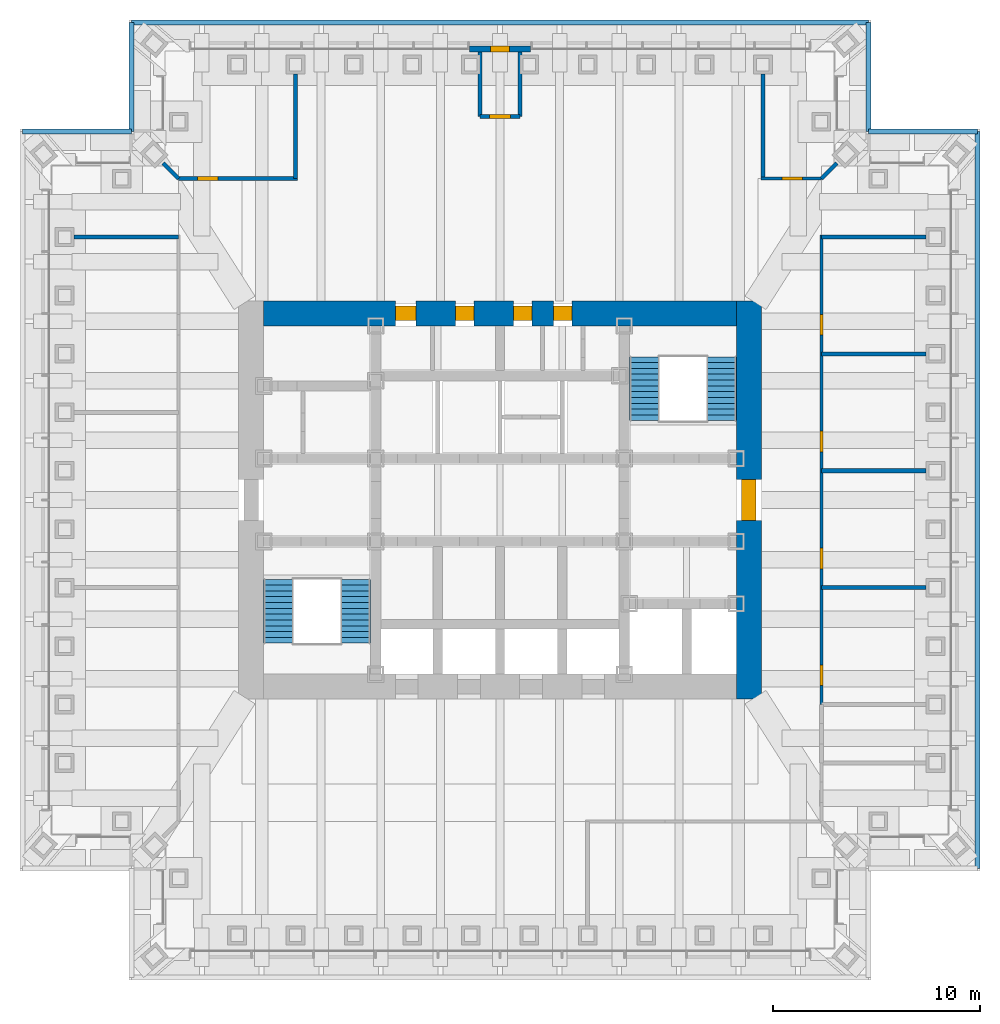
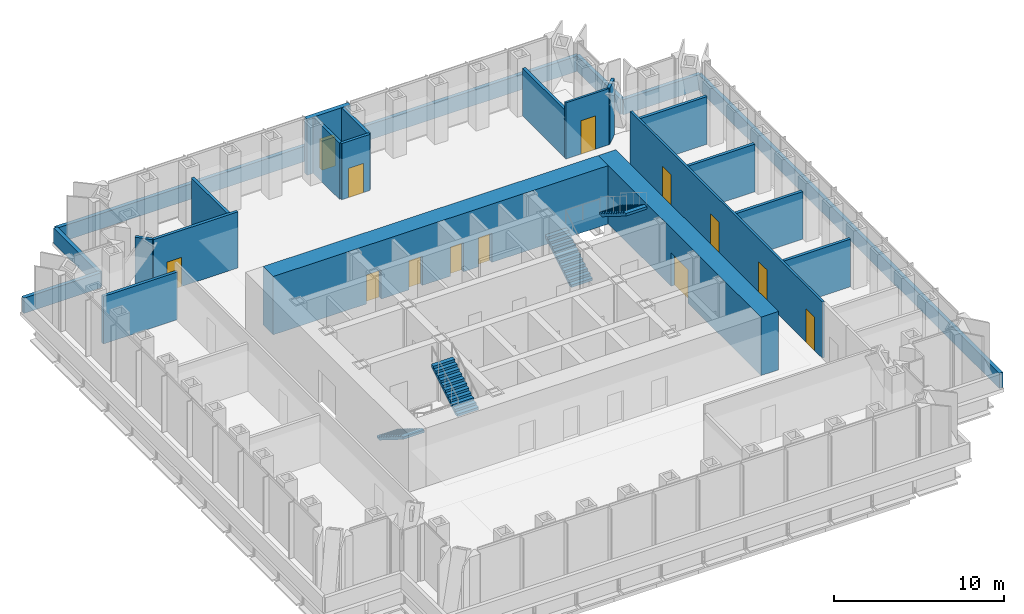
# One storey, part 10 of 12: 24 walls, 13 doors, 4 stair flights, 13 openings, 2 elements without a shape of their own.
"""IFC4 building model written with IfcOpenShell, lengths in metres."""

import ifcopenshell
import ifcopenshell.guid

model = None  # the IFC model being written
_history = None  # IfcOwnerHistory: only IFC2X3 demands one
_inside = {}  # id of a spatial element -> (the spatial element, [elements in it])
_under = {}  # id of a project, library or spatial element -> (it, [spatial elements below it])
_declared = {}  # id of a project -> (the project, [libraries it declares])
_typed = {}  # id of a type object -> (the type object, [elements of that type])
_made_of = {}  # id of a material, layer set ... -> (it, [elements and type objects made of it])


def new_model(schema):
    """Start an empty IFC model of exactly this schema.

    Asked for "IFC4X3", IfcOpenShell would pick the latest addendum, in which some entities
    have other attributes; the version numbers below select the first issue.
    IFC2X3 requires an IfcOwnerHistory on every rooted entity: one is made here for all.
    """
    global model, _history
    if schema == "IFC4X3":
        model = ifcopenshell.file(schema_version=(4, 3, 0, 0))
    else:
        model = ifcopenshell.file(schema=schema)
    _inside.clear()
    _under.clear()
    _declared.clear()
    _typed.clear()
    _made_of.clear()
    _history = None
    if model.schema == "IFC2X3":
        org = make("IfcOrganization", Name="unknown")
        user = make(
            "IfcPersonAndOrganization",
            ThePerson=make("IfcPerson", FamilyName="unknown"),
            TheOrganization=org,
        )
        app = make(
            "IfcApplication",
            ApplicationDeveloper=org,
            Version="unknown",
            ApplicationFullName="unknown",
            ApplicationIdentifier="unknown",
        )
        _history = make(
            "IfcOwnerHistory",
            OwningUser=user,
            OwningApplication=app,
            ChangeAction="ADDED",
            CreationDate=0,
        )
    return model


def make(cls, **values):
    """One entity of the class cls with the attributes given. An attribute that is None is left unset."""
    return model.create_entity(
        cls, **{name: value for name, value in values.items() if value is not None}
    )


def rooted(cls, **values):
    """An entity with a GlobalId (a new one), such as an element, a storey or a relation."""
    return make(cls, GlobalId=ifcopenshell.guid.new(), OwnerHistory=_history, **values)


def si_unit(unit_type, name, prefix=None):
    """IfcSIUnit, for example si_unit("LENGTHUNIT", "METRE", prefix="MILLI")."""
    return make("IfcSIUnit", UnitType=unit_type, Prefix=prefix, Name=name)


def assignment(units):
    """IfcUnitAssignment: the units of a project."""
    return None if units is None else make("IfcUnitAssignment", Units=units)


def point(xyz):
    """IfcCartesianPoint."""
    return None if xyz is None else make("IfcCartesianPoint", Coordinates=xyz)


def direction(xyz):
    """IfcDirection."""
    return None if xyz is None else make("IfcDirection", DirectionRatios=xyz)


def frame(location, z_axis=None, x_axis=None):
    """IfcAxis2Placement3D, a coordinate frame: its origin and axes. An axis left out is left unset."""
    return make(
        "IfcAxis2Placement3D",
        Location=point(location),
        Axis=direction(z_axis),
        RefDirection=direction(x_axis),
    )


def frame_2d(location, x_axis=None):
    """IfcAxis2Placement2D, a coordinate frame in the plane: its origin and x axis."""
    return make(
        "IfcAxis2Placement2D", Location=point(location), RefDirection=direction(x_axis)
    )


def origin():
    """The frame at (0, 0, 0) with its axes left unset."""
    return frame((0.0, 0.0, 0.0))


def place(relative_to, where):
    """IfcLocalPlacement: puts the frame where relative to a parent placement (None: the world)."""
    return make(
        "IfcLocalPlacement", PlacementRelTo=relative_to, RelativePlacement=where
    )


def context(
    kind, dimensions, precision=None, world=None, true_north=None, identifier=None
):
    """IfcGeometricRepresentationContext, for example the 3D "Model" context."""
    return make(
        "IfcGeometricRepresentationContext",
        ContextIdentifier=identifier,
        ContextType=kind,
        CoordinateSpaceDimension=dimensions,
        Precision=precision,
        WorldCoordinateSystem=world,
        TrueNorth=true_north,
    )


def subcontext(parent, identifier, kind, view, scale=None):
    """IfcGeometricRepresentationSubContext, for example "Body" below "Model"."""
    return make(
        "IfcGeometricRepresentationSubContext",
        ContextIdentifier=identifier,
        ContextType=kind,
        ParentContext=parent,
        TargetScale=scale,
        TargetView=view,
    )


def project(units=None, contexts=None):
    """IfcProject with its units and contexts."""
    return rooted(
        "IfcProject",
        Name="project",
        RepresentationContexts=contexts,
        UnitsInContext=assignment(units),
    )


def spatial(cls, under=None, at=None, **own):
    """A site, building, storey or space (cls), placed at a placement, below another one or the project."""
    s = rooted(cls, ObjectPlacement=at, **own)
    if under is not None:
        _under.setdefault(under.id(), (under, []))[1].append(s)
    return s


def polyline(points):
    """IfcPolyline through the points."""
    return make("IfcPolyline", Points=[point(p) for p in points])


def profile(cls, at=None, kind="AREA", **sizes):
    """A parametric profile (cls). Its sizes go by their IFC names, for example OverallWidth=200.0."""
    return make(cls, ProfileType=kind, Position=at, **sizes)


def rectangle(**sizes):
    """IfcRectangleProfileDef."""
    return profile("IfcRectangleProfileDef", **sizes)


def outline(outer, holes=None, kind="AREA"):
    """IfcArbitraryClosedProfileDef: a profile drawn as a closed curve; with holes, ...WithVoids."""
    if holes is None:
        return make("IfcArbitraryClosedProfileDef", ProfileType=kind, OuterCurve=outer)
    return make(
        "IfcArbitraryProfileDefWithVoids",
        ProfileType=kind,
        OuterCurve=outer,
        InnerCurves=holes,
    )


def extrude(swept, where, along, depth):
    """IfcExtrudedAreaSolid: the profile swept, set in the frame where, extruded along a direction by depth."""
    return make(
        "IfcExtrudedAreaSolid",
        SweptArea=swept,
        Position=where,
        ExtrudedDirection=direction(along),
        Depth=depth,
    )


def shape(context_of_items, identifier, shape_type, items):
    """IfcShapeRepresentation: the items that make up one representation, for example the "Body"."""
    return make(
        "IfcShapeRepresentation",
        ContextOfItems=context_of_items,
        RepresentationIdentifier=identifier,
        RepresentationType=shape_type,
        Items=items,
    )


def material(Name=None, Category=None):
    """IfcMaterial."""
    return make("IfcMaterial", Name=Name, Category=Category)


def layer(
    of_material, thickness, ventilated=None, Name=None, Category=None, Priority=None
):
    """IfcMaterialLayer: one layer of a wall or slab, of a material (None: an air gap)."""
    return make(
        "IfcMaterialLayer",
        Material=of_material,
        LayerThickness=thickness,
        IsVentilated=ventilated,
        Name=Name,
        Category=Category,
        Priority=Priority,
    )


def layer_set(layers, Name=None):
    """IfcMaterialLayerSet."""
    return make("IfcMaterialLayerSet", MaterialLayers=layers, LayerSetName=Name)


def made_of(thing, what):
    """Note that an element or type object is made of a material, layer set ...; save() writes the relation."""
    if what is not None:
        _made_of.setdefault(what.id(), (what, []))[1].append(thing)
    return thing


def type_object(cls, material=None, **own):
    """A type object (cls), such as IfcWallType, which elements share."""
    return made_of(rooted(cls, **own), material)


def element(
    cls,
    number,
    at=None,
    inside=None,
    cuts=None,
    type_object=None,
    material=None,
    context=None,
    identifier="Body",
    shape_type=None,
    held_by="IfcProductDefinitionShape",
    body=None,
    shapes=None,
    **own,
):
    """One element of the class cls, such as IfcWall. Its Tag is "e" and its number.

    at: its placement. inside: the storey or other place that contains it. cuts: it is an
    opening in that element (IfcRelVoidsElement). A single representation is given by context,
    identifier, shape_type and body (its items); several are given by shapes. held_by: the class
    of the entity that holds the representations. save() writes the other relations.
    """
    e = rooted(cls, Tag="e%d" % number, ObjectPlacement=at, **own)
    if body is not None:
        shapes = [shape(context, identifier, shape_type, body)]
    if shapes is not None:
        e.Representation = make(held_by, Representations=shapes)
    if inside is not None:
        _inside.setdefault(inside.id(), (inside, []))[1].append(e)
    if cuts is not None:
        rooted(
            "IfcRelVoidsElement", RelatingBuildingElement=cuts, RelatedOpeningElement=e
        )
    if type_object is not None:
        _typed.setdefault(type_object.id(), (type_object, []))[1].append(e)
    return made_of(e, material)


def fill(opening, filler):
    """IfcRelFillsElement: the door or window that sits in an opening."""
    return rooted(
        "IfcRelFillsElement",
        RelatingOpeningElement=opening,
        RelatedBuildingElement=filler,
    )


def aggregate(whole, parts):
    """IfcRelAggregates: a whole, such as a stair, and the parts it consists of."""
    return rooted("IfcRelAggregates", RelatingObject=whole, RelatedObjects=parts)


def save(model, path):
    """Write the relations noted so far, then the file.

    IfcRelAggregates (storeys below a building ...), IfcRelContainedInSpatialStructure (elements
    in a storey), IfcRelDefinesByType, IfcRelAssociatesMaterial and IfcRelDeclares: one each for
    every whole, place, type object, material and project.
    """
    for whole, parts in _under.values():
        aggregate(whole, parts)
    for where, things in _inside.values():
        rooted(
            "IfcRelContainedInSpatialStructure",
            RelatedElements=things,
            RelatingStructure=where,
        )
    for kind, things in _typed.values():
        rooted("IfcRelDefinesByType", RelatedObjects=things, RelatingType=kind)
    for what, things in _made_of.values():
        rooted("IfcRelAssociatesMaterial", RelatedObjects=things, RelatingMaterial=what)
    for by, libraries in _declared.values():
        rooted("IfcRelDeclares", RelatingContext=by, RelatedDefinitions=libraries)
    model.write(path)


model = new_model("IFC4")

# Units and contexts
model_context = context("Model", 3, precision=1e-05, world=origin(), true_north=direction((0.0, 1.0)))
body_context = subcontext(model_context, "Body", "Model", "MODEL_VIEW")
ifc_project = project(units=[si_unit("LENGTHUNIT", "METRE"), si_unit("AREAUNIT", "SQUARE_METRE"), si_unit("VOLUMEUNIT", "CUBIC_METRE"), si_unit("PLANEANGLEUNIT", "RADIAN"), si_unit("MASSUNIT", "GRAM", prefix="KILO")], contexts=[model_context])

# Site, building, storey
site_placement = place(None, origin())
site = spatial("IfcSite", under=ifc_project, at=site_placement, CompositionType="ELEMENT")
building_placement = place(site_placement, origin())
building = spatial("IfcBuilding", under=site, at=building_placement, Name="Daluyong Arena Tower", CompositionType="ELEMENT")
storey_placement = place(building_placement, frame((0.0, 0.0, 181.300048828125)))
storey = spatial("IfcBuildingStorey", under=building, at=storey_placement, Name="L40", CompositionType="ELEMENT", Elevation=181.300048828125)

# Wall, opening, door
ifc_material_1 = material(Name="Concrete fc' 60 MPa", Category="concrete")
ifc_layer_1 = layer(ifc_material_1, 1.199951171875)
ifc_layer_set_1 = layer_set([ifc_layer_1], Name="Concrete fc' 60 MPa")
wall_type_1 = type_object("IfcWallType", Name="Core wall 1200", PredefinedType="SHEAR", material=ifc_layer_set_1)
wall_1_placement = place(storey_placement, frame((68.0, 70.39990234375, 0.0), z_axis=(0.0, 0.0, 1.0), x_axis=(0.0, 1.0, 0.0)))
wall_1 = element("IfcWall", 1, at=wall_1_placement, inside=storey, type_object=wall_type_1, Name="core wall at L40", PredefinedType="SHEAR", context=body_context, shape_type="SweptSolid", body=[
    extrude(rectangle(XDim=19.2001953125, YDim=1.199951171875, at=frame_2d((9.60009765625, 0.0))), origin(), (0.0, 0.0, 1.0), 4.199951171875),
])
opening_1_placement = place(wall_1_placement, frame((8.60009765625, 0.0, 0.0)))
opening_1 = element("IfcOpeningElement", 2, at=opening_1_placement, cuts=wall_1, Name="Opening 40021", PredefinedType="OPENING", context=body_context, shape_type="SweptSolid", body=[
    extrude(rectangle(XDim=2.0, YDim=2.39990234375, at=frame_2d((1.0, 1.199951171875))), frame((0.0, 0.60986328125, 0.0), z_axis=(0.0, -1.0, 0.0), x_axis=(1.0, 0.0, 0.0)), (0.0, 0.0, 1.0), 1.219970703125),
])
ifc_material_2 = material(Name="Steel door, fire rated", Category="steel")
door_type_1 = type_object("IfcDoorType", Name="Core lobby double door 2000", OperationType="DOUBLE_DOOR_SINGLE_SWING", PredefinedType="DOOR", material=ifc_material_2)
door_1_placement = place(opening_1_placement, origin())
door_1 = element("IfcDoor", 3, at=door_1_placement, inside=storey, type_object=door_type_1, Name="core lobby door east 40021", OperationType="DOUBLE_DOOR_SINGLE_SWING", OverallHeight=2.39990234375, OverallWidth=2.0, PredefinedType="DOOR", context=body_context, shape_type="SweptSolid", body=[
    extrude(rectangle(XDim=2.0, YDim=2.39990234375, at=frame_2d((1.0, 1.199951171875))), frame((0.0, 0.35009765625, 0.0), z_axis=(0.0, -1.0, 0.0), x_axis=(1.0, 0.0, 0.0)), (0.0, 0.0, 1.0), 0.699951171875),
])
fill(opening_1, door_1)

# Wall, openings, doors
wall_2_placement = place(storey_placement, frame((44.60009765625, 89.0, 0.0), z_axis=(0.0, 0.0, 1.0), x_axis=(1.0, 0.0, 0.0)))
wall_2 = element("IfcWall", 4, at=wall_2_placement, inside=storey, type_object=wall_type_1, Name="core wall at L40", PredefinedType="SHEAR", context=body_context, shape_type="SweptSolid", body=[
    extrude(rectangle(XDim=22.7998046875, YDim=1.199951171875, at=frame_2d((11.39990234375, 0.0))), origin(), (0.0, 0.0, 1.0), 4.199951171875),
])
opening_2_placement = place(wall_2_placement, frame((6.35009765625, 0.0, 0.0)))
opening_2 = element("IfcOpeningElement", 5, at=opening_2_placement, cuts=wall_2, Name="Opening 40004", PredefinedType="OPENING", context=body_context, shape_type="SweptSolid", body=[
    extrude(rectangle(XDim=1.0, YDim=2.10009765625, at=frame_2d((0.5, 1.050048828125))), frame((0.0, 0.60986328125, 0.0), z_axis=(0.0, -1.0, 0.0), x_axis=(1.0, 0.0, 0.0)), (0.0, 0.0, 1.0), 1.219970703125),
])
opening_3_placement = place(wall_2_placement, frame((9.25, 0.0, 0.0)))
opening_3 = element("IfcOpeningElement", 6, at=opening_3_placement, cuts=wall_2, Name="Opening 40005", PredefinedType="OPENING", context=body_context, shape_type="SweptSolid", body=[
    extrude(rectangle(XDim=0.89990234375, YDim=2.10009765625, at=frame_2d((0.449951171875, 1.050048828125))), frame((0.0, 0.60986328125, 0.0), z_axis=(0.0, -1.0, 0.0), x_axis=(1.0, 0.0, 0.0)), (0.0, 0.0, 1.0), 1.219970703125),
])
opening_4_placement = place(wall_2_placement, frame((12.050048828125, 0.0, 0.0)))
opening_4 = element("IfcOpeningElement", 7, at=opening_4_placement, cuts=wall_2, Name="Opening 40006", PredefinedType="OPENING", context=body_context, shape_type="SweptSolid", body=[
    extrude(rectangle(XDim=0.89990234375, YDim=2.10009765625, at=frame_2d((0.449951171875, 1.050048828125))), frame((0.0, 0.60986328125, 0.0), z_axis=(0.0, -1.0, 0.0), x_axis=(1.0, 0.0, 0.0)), (0.0, 0.0, 1.0), 1.219970703125),
])
opening_5_placement = place(wall_2_placement, frame((13.97509765625, 0.0, 0.0)))
opening_5 = element("IfcOpeningElement", 8, at=opening_5_placement, cuts=wall_2, Name="Opening 40007", PredefinedType="OPENING", context=body_context, shape_type="SweptSolid", body=[
    extrude(rectangle(XDim=0.89990234375, YDim=2.10009765625, at=frame_2d((0.449951171875, 1.050048828125))), frame((0.0, 0.60986328125, 0.0), z_axis=(0.0, -1.0, 0.0), x_axis=(1.0, 0.0, 0.0)), (0.0, 0.0, 1.0), 1.219970703125),
])
ifc_material_3 = material(Name="Timber door", Category="wood")
door_type_2 = type_object("IfcDoorType", Name="Accessible toilet door 1000", OperationType="SINGLE_SWING_LEFT", PredefinedType="DOOR", material=ifc_material_3)
door_2_placement = place(opening_2_placement, origin())
door_2 = element("IfcDoor", 9, at=door_2_placement, inside=storey, type_object=door_type_2, Name="accessible toilet door 40004", OperationType="SINGLE_SWING_LEFT", OverallHeight=2.10009765625, OverallWidth=1.0, PredefinedType="DOOR", context=body_context, shape_type="SweptSolid", body=[
    extrude(rectangle(XDim=1.0, YDim=2.10009765625, at=frame_2d((0.5, 1.050048828125))), frame((0.0, 0.35009765625, 0.0), z_axis=(0.0, -1.0, 0.0), x_axis=(1.0, 0.0, 0.0)), (0.0, 0.0, 1.0), 0.699951171875),
])
fill(opening_2, door_2)
ifc_material_4 = material(Name="Steel door, fire rated", Category="steel")
door_type_3 = type_object("IfcDoorType", Name="Core room door 900", OperationType="SINGLE_SWING_LEFT", PredefinedType="DOOR", material=ifc_material_4)
door_3_placement = place(opening_4_placement, origin())
door_3 = element("IfcDoor", 10, at=door_3_placement, inside=storey, type_object=door_type_3, Name="parcel room door 40006", OperationType="SINGLE_SWING_LEFT", OverallHeight=2.10009765625, OverallWidth=0.89990234375, PredefinedType="DOOR", context=body_context, shape_type="SweptSolid", body=[
    extrude(rectangle(XDim=0.89990234375, YDim=2.10009765625, at=frame_2d((0.449951171875, 1.050048828125))), frame((0.0, 0.35009765625, 0.0), z_axis=(0.0, -1.0, 0.0), x_axis=(1.0, 0.0, 0.0)), (0.0, 0.0, 1.0), 0.699951171875),
])
fill(opening_4, door_3)
ifc_material_5 = material(Name="Steel door, fire rated", Category="steel")
door_type_4 = type_object("IfcDoorType", Name="Core store door 900", OperationType="SINGLE_SWING_LEFT", PredefinedType="DOOR", material=ifc_material_5)
door_4_placement = place(opening_3_placement, origin())
door_4 = element("IfcDoor", 11, at=door_4_placement, inside=storey, type_object=door_type_4, Name="facilities store door 40005", OperationType="SINGLE_SWING_LEFT", OverallHeight=2.10009765625, OverallWidth=0.89990234375, PredefinedType="DOOR", context=body_context, shape_type="SweptSolid", body=[
    extrude(rectangle(XDim=0.89990234375, YDim=2.10009765625, at=frame_2d((0.449951171875, 1.050048828125))), frame((0.0, 0.35009765625, 0.0), z_axis=(0.0, -1.0, 0.0), x_axis=(1.0, 0.0, 0.0)), (0.0, 0.0, 1.0), 0.699951171875),
])
fill(opening_3, door_4)
door_5_placement = place(opening_5_placement, origin())
door_5 = element("IfcDoor", 12, at=door_5_placement, inside=storey, type_object=door_type_4, Name="cleaner's store door 40007", OperationType="SINGLE_SWING_LEFT", OverallHeight=2.10009765625, OverallWidth=0.89990234375, PredefinedType="DOOR", context=body_context, shape_type="SweptSolid", body=[
    extrude(rectangle(XDim=0.89990234375, YDim=2.10009765625, at=frame_2d((0.449951171875, 1.050048828125))), frame((0.0, 0.35009765625, 0.0), z_axis=(0.0, -1.0, 0.0), x_axis=(1.0, 0.0, 0.0)), (0.0, 0.0, 1.0), 0.699951171875),
])
fill(opening_5, door_5)

# Wall, opening, door
ifc_material_6 = material(Name="Glazed aluminium partition", Category="aluminium")
ifc_layer_2 = layer(ifc_material_6, 0.14990234375)
ifc_layer_set_2 = layer_set([ifc_layer_2], Name="Glazed aluminium partition")
wall_type_2 = type_object("IfcWallType", Name="Glazed partition 150", PredefinedType="PARTITIONING", material=ifc_layer_set_2)
wall_3_placement = place(storey_placement, frame((68.581787109375, 95.5, 0.0), z_axis=(0.0, 0.0, 1.0), x_axis=(1.0, 0.0, 0.0)))
wall_3 = element("IfcWall", 13, at=wall_3_placement, inside=storey, type_object=wall_type_2, Name="glazed partition at L40", PredefinedType="PARTITIONING", context=body_context, shape_type="SweptSolid", body=[
    extrude(rectangle(XDim=2.918212890625, YDim=0.14990234375, at=frame_2d((1.458984375, 0.0))), origin(), (0.0, 0.0, 1.0), 4.0400390625),
])
opening_6_placement = place(wall_3_placement, frame((1.009033203125, 0.0, 0.0)))
opening_6 = element("IfcOpeningElement", 14, at=opening_6_placement, cuts=wall_3, Name="Opening 40039", PredefinedType="OPENING", context=body_context, shape_type="SweptSolid", body=[
    extrude(rectangle(XDim=1.0, YDim=2.39990234375, at=frame_2d((0.5, 1.199951171875))), frame((0.0, 0.0849609375, 0.0), z_axis=(0.0, -1.0, 0.0), x_axis=(1.0, 0.0, 0.0)), (0.0, 0.0, 1.0), 0.169921875),
])
ifc_material_7 = material(Name="Glazed aluminium door", Category="aluminium")
door_type_5 = type_object("IfcDoorType", Name="Meeting room glazed door 1000", OperationType="SINGLE_SWING_RIGHT", PredefinedType="DOOR", material=ifc_material_7)
door_6_placement = place(opening_6_placement, origin())
door_6 = element("IfcDoor", 15, at=door_6_placement, inside=storey, type_object=door_type_5, Name="focus room door 40039", OperationType="SINGLE_SWING_RIGHT", OverallHeight=2.39990234375, OverallWidth=1.0, PredefinedType="DOOR", context=body_context, shape_type="SweptSolid", body=[
    extrude(rectangle(XDim=1.0, YDim=2.39990234375, at=frame_2d((0.5, 1.199951171875))), frame((0.0, 0.07470703125, 0.0), z_axis=(0.0, -1.0, 0.0), x_axis=(1.0, 0.0, 0.0)), (0.0, 0.0, 1.0), 0.1494140625),
])
fill(opening_6, door_6)

# Wall, openings, doors
wall_4_placement = place(storey_placement, frame((71.5, 70.136474609375, 0.0), z_axis=(0.0, 0.0, 1.0), x_axis=(0.0, 1.0, 0.0)))
wall_4 = element("IfcWall", 16, at=wall_4_placement, inside=storey, type_object=wall_type_2, Name="glazed partition at L40", PredefinedType="PARTITIONING", context=body_context, shape_type="SweptSolid", body=[
    extrude(rectangle(XDim=22.645263671875, YDim=0.14990234375, at=frame_2d((11.32275390625, 0.0))), origin(), (0.0, 0.0, 1.0), 4.0400390625),
])
opening_7_placement = place(wall_4_placement, frame((0.9091796875, 0.0, 0.0)))
opening_7 = element("IfcOpeningElement", 17, at=opening_7_placement, cuts=wall_4, Name="Opening 40034", PredefinedType="OPENING", context=body_context, shape_type="SweptSolid", body=[
    extrude(rectangle(XDim=1.0, YDim=2.39990234375, at=frame_2d((0.5, 1.199951171875))), frame((0.0, 0.0849609375, 0.0), z_axis=(0.0, -1.0, 0.0), x_axis=(1.0, 0.0, 0.0)), (0.0, 0.0, 1.0), 0.169921875),
])
opening_8_placement = place(wall_4_placement, frame((6.54541015625, 0.0, 0.0)))
opening_8 = element("IfcOpeningElement", 18, at=opening_8_placement, cuts=wall_4, Name="Opening 40035", PredefinedType="OPENING", context=body_context, shape_type="SweptSolid", body=[
    extrude(rectangle(XDim=1.0, YDim=2.39990234375, at=frame_2d((0.5, 1.199951171875))), frame((0.0, 0.0849609375, 0.0), z_axis=(0.0, -1.0, 0.0), x_axis=(1.0, 0.0, 0.0)), (0.0, 0.0, 1.0), 0.169921875),
])
opening_9_placement = place(wall_4_placement, frame((12.181884765625, 0.0, 0.0)))
opening_9 = element("IfcOpeningElement", 19, at=opening_9_placement, cuts=wall_4, Name="Opening 40036", PredefinedType="OPENING", context=body_context, shape_type="SweptSolid", body=[
    extrude(rectangle(XDim=1.0, YDim=2.39990234375, at=frame_2d((0.5, 1.199951171875))), frame((0.0, 0.0849609375, 0.0), z_axis=(0.0, -1.0, 0.0), x_axis=(1.0, 0.0, 0.0)), (0.0, 0.0, 1.0), 0.169921875),
])
opening_10_placement = place(wall_4_placement, frame((17.818115234375, 0.0, 0.0)))
opening_10 = element("IfcOpeningElement", 20, at=opening_10_placement, cuts=wall_4, Name="Opening 40037", PredefinedType="OPENING", context=body_context, shape_type="SweptSolid", body=[
    extrude(rectangle(XDim=1.0, YDim=2.39990234375, at=frame_2d((0.5, 1.199951171875))), frame((0.0, 0.0849609375, 0.0), z_axis=(0.0, -1.0, 0.0), x_axis=(1.0, 0.0, 0.0)), (0.0, 0.0, 1.0), 0.169921875),
])
door_7_placement = place(opening_7_placement, origin())
door_7 = element("IfcDoor", 21, at=door_7_placement, inside=storey, type_object=door_type_5, Name="meeting room door 40034", OperationType="SINGLE_SWING_RIGHT", OverallHeight=2.39990234375, OverallWidth=1.0, PredefinedType="DOOR", context=body_context, shape_type="SweptSolid", body=[
    extrude(rectangle(XDim=1.0, YDim=2.39990234375, at=frame_2d((0.5, 1.199951171875))), frame((0.0, 0.07470703125, 0.0), z_axis=(0.0, -1.0, 0.0), x_axis=(1.0, 0.0, 0.0)), (0.0, 0.0, 1.0), 0.1494140625),
])
fill(opening_7, door_7)
door_8_placement = place(opening_8_placement, origin())
door_8 = element("IfcDoor", 22, at=door_8_placement, inside=storey, type_object=door_type_5, Name="meeting room door 40035", OperationType="SINGLE_SWING_RIGHT", OverallHeight=2.39990234375, OverallWidth=1.0, PredefinedType="DOOR", context=body_context, shape_type="SweptSolid", body=[
    extrude(rectangle(XDim=1.0, YDim=2.39990234375, at=frame_2d((0.5, 1.199951171875))), frame((0.0, 0.07470703125, 0.0), z_axis=(0.0, -1.0, 0.0), x_axis=(1.0, 0.0, 0.0)), (0.0, 0.0, 1.0), 0.1494140625),
])
fill(opening_8, door_8)
door_9_placement = place(opening_9_placement, origin())
door_9 = element("IfcDoor", 23, at=door_9_placement, inside=storey, type_object=door_type_5, Name="meeting room door 40036", OperationType="SINGLE_SWING_RIGHT", OverallHeight=2.39990234375, OverallWidth=1.0, PredefinedType="DOOR", context=body_context, shape_type="SweptSolid", body=[
    extrude(rectangle(XDim=1.0, YDim=2.39990234375, at=frame_2d((0.5, 1.199951171875))), frame((0.0, 0.07470703125, 0.0), z_axis=(0.0, -1.0, 0.0), x_axis=(1.0, 0.0, 0.0)), (0.0, 0.0, 1.0), 0.1494140625),
])
fill(opening_9, door_9)
door_10_placement = place(opening_10_placement, origin())
door_10 = element("IfcDoor", 24, at=door_10_placement, inside=storey, type_object=door_type_5, Name="meeting room door 40037", OperationType="SINGLE_SWING_RIGHT", OverallHeight=2.39990234375, OverallWidth=1.0, PredefinedType="DOOR", context=body_context, shape_type="SweptSolid", body=[
    extrude(rectangle(XDim=1.0, YDim=2.39990234375, at=frame_2d((0.5, 1.199951171875))), frame((0.0, 0.07470703125, 0.0), z_axis=(0.0, -1.0, 0.0), x_axis=(1.0, 0.0, 0.0)), (0.0, 0.0, 1.0), 0.1494140625),
])
fill(opening_10, door_10)

# Walls
ifc_material_8 = material(Name="Concrete block partition", Category="concrete")
ifc_layer_3 = layer(ifc_material_8, 0.199951171875)
ifc_layer_set_3 = layer_set([ifc_layer_3], Name="Concrete block partition")
wall_type_3 = type_object("IfcWallType", Name="Partition 200", PredefinedType="PARTITIONING", material=ifc_layer_set_3)
for number, where, z_axis, x_axis, name in (
    (25, (71.5, 75.772705078125, 0.0), (0.0, 0.0, 1.0), (1.0, 0.0, 0.0), "partition at L40"),
    (26, (71.5, 81.4091796875, 0.0), (0.0, 0.0, 1.0), (1.0, 0.0, 0.0), "partition at L40"),
    (27, (71.5, 87.04541015625, 0.0), (0.0, 0.0, 1.0), (1.0, 0.0, 0.0), "partition at L40"),
    (28, (71.5, 92.681884765625, 0.0), (0.0, 0.0, 1.0), (1.0, 0.0, 0.0), "partition at L40"),
    (29, (46.136474609375, 95.5, 0.0), (0.0, 0.0, 1.0), (0.0, 1.0, 0.0), "partition at L40"),
    (30, (68.681884765625, 95.5, 0.0), (0.0, 0.0, 1.0), (0.0, 1.0, 0.0), "partition at L40"),
    (31, (35.449951171875, 92.681884765625, 0.0), (0.0, 0.0, 1.0), (1.0, 0.0, 0.0), "partition at L40"),
):
    element("IfcWall", number, at=place(storey_placement, frame(where, z_axis=z_axis, x_axis=x_axis)), inside=storey, type_object=wall_type_3, Name=name, PredefinedType="PARTITIONING", context=body_context, shape_type="SweptSolid", body=[
        extrude(rectangle(XDim=5.050048828125, YDim=0.199951171875, at=frame_2d((2.52490234375, 0.0))), origin(), (0.0, 0.0, 1.0), 3.427734375),
    ])

# Wall, opening, door
wall_5_placement = place(storey_placement, frame((40.5, 95.5, 0.0), z_axis=(0.0, 0.0, 1.0), x_axis=(1.0, 0.0, 0.0)))
wall_5 = element("IfcWall", 32, at=wall_5_placement, inside=storey, type_object=wall_type_3, Name="partition at L40", PredefinedType="PARTITIONING", context=body_context, shape_type="SweptSolid", body=[
    extrude(rectangle(XDim=5.736328125, YDim=0.199951171875, at=frame_2d((2.8681640625, 0.0))), origin(), (0.0, 0.0, 1.0), 4.0400390625),
])
opening_11_placement = place(wall_5_placement, frame((0.9091796875, 0.0, 0.0)))
opening_11 = element("IfcOpeningElement", 33, at=opening_11_placement, cuts=wall_5, Name="Opening 40038", PredefinedType="OPENING", context=body_context, shape_type="SweptSolid", body=[
    extrude(rectangle(XDim=1.0, YDim=2.10009765625, at=frame_2d((0.5, 1.050048828125))), frame((0.0, 0.10986328125, 0.0), z_axis=(0.0, -1.0, 0.0), x_axis=(1.0, 0.0, 0.0)), (0.0, 0.0, 1.0), 0.219970703125),
])
ifc_material_9 = material(Name="Timber door", Category="wood")
door_type_6 = type_object("IfcDoorType", Name="Room door 1000", OperationType="SINGLE_SWING_LEFT", PredefinedType="DOOR", material=ifc_material_9)
door_11_placement = place(opening_11_placement, origin())
door_11 = element("IfcDoor", 34, at=door_11_placement, inside=storey, type_object=door_type_6, Name="pantry door 40038", OperationType="SINGLE_SWING_LEFT", OverallHeight=2.10009765625, OverallWidth=1.0, PredefinedType="DOOR", context=body_context, shape_type="SweptSolid", body=[
    extrude(rectangle(XDim=1.0, YDim=2.10009765625, at=frame_2d((0.5, 1.050048828125))), frame((0.0, 0.099609375, 0.0), z_axis=(0.0, -1.0, 0.0), x_axis=(1.0, 0.0, 0.0)), (0.0, 0.0, 1.0), 0.199462890625),
])
fill(opening_11, door_11)

# Walls
for number, where, z_axis, x_axis, name in (
    (35, (40.5, 95.5, 0.0), (0.0, 0.0, 1.0), (-0.707106781187, 0.707106781187, 0.0), "partition at L40"),
    (36, (71.5, 95.5, 0.0), (0.0, 0.0, 1.0), (0.707106781187, 0.707106781187, 0.0), "partition at L40"),
):
    element("IfcWall", number, at=place(storey_placement, frame(where, z_axis=z_axis, x_axis=x_axis)), inside=storey, type_object=wall_type_3, Name=name, PredefinedType="PARTITIONING", context=body_context, shape_type="SweptSolid", body=[
        extrude(rectangle(XDim=1.060546875, YDim=0.199951171875, at=frame_2d((0.5302734375, 0.0))), origin(), (0.0, 0.0, 1.0), 4.0400390625),
    ])

# Wall, opening, door
wall_6_placement = place(storey_placement, frame((55.041015625, 98.5, 0.0), z_axis=(0.0, 0.0, 1.0), x_axis=(1.0, 0.0, 0.0)))
wall_6 = element("IfcWall", 37, at=wall_6_placement, inside=storey, type_object=wall_type_3, Name="facade maintenance store partition at L40", PredefinedType="PARTITIONING", context=body_context, shape_type="SweptSolid", body=[
    extrude(rectangle(XDim=1.91796875, YDim=0.199951171875, at=frame_2d((0.958984375, 0.0))), origin(), (0.0, 0.0, 1.0), 4.0400390625),
])
opening_12_placement = place(wall_6_placement, frame((0.458984375, 0.0, 0.0)))
opening_12 = element("IfcOpeningElement", 38, at=opening_12_placement, cuts=wall_6, Name="Opening 40043", PredefinedType="OPENING", context=body_context, shape_type="SweptSolid", body=[
    extrude(rectangle(XDim=1.0, YDim=2.10009765625, at=frame_2d((0.5, 1.050048828125))), frame((0.0, 0.10986328125, 0.0), z_axis=(0.0, -1.0, 0.0), x_axis=(1.0, 0.0, 0.0)), (0.0, 0.0, 1.0), 0.219970703125),
])
door_12_placement = place(opening_12_placement, origin())
door_12 = element("IfcDoor", 39, at=door_12_placement, inside=storey, type_object=door_type_6, Name="facade maintenance store door 40043", OperationType="SINGLE_SWING_LEFT", OverallHeight=2.10009765625, OverallWidth=1.0, PredefinedType="DOOR", context=body_context, shape_type="SweptSolid", body=[
    extrude(rectangle(XDim=1.0, YDim=2.10009765625, at=frame_2d((0.5, 1.050048828125))), frame((0.0, 0.099609375, 0.0), z_axis=(0.0, -1.0, 0.0), x_axis=(1.0, 0.0, 0.0)), (0.0, 0.0, 1.0), 0.199462890625),
])
fill(opening_12, door_12)

# Walls
for number, where, z_axis, x_axis, name in (
    (40, (55.041015625, 101.60009765625, 0.0), (0.0, 0.0, 1.0), (0.0, -1.0, 0.0), "facade maintenance store partition at L40"),
    (41, (56.958984375, 101.60009765625, 0.0), (0.0, 0.0, 1.0), (0.0, -1.0, 0.0), "facade maintenance store partition at L40"),
):
    element("IfcWall", number, at=place(storey_placement, frame(where, z_axis=z_axis, x_axis=x_axis)), inside=storey, type_object=wall_type_3, Name=name, PredefinedType="PARTITIONING", context=body_context, shape_type="SweptSolid", body=[
        extrude(rectangle(XDim=3.10009765625, YDim=0.199951171875, at=frame_2d((1.550048828125, 0.0))), origin(), (0.0, 0.0, 1.0), 4.0400390625),
    ])

# Wall, opening, door
ifc_material_10 = material(Name="Insulated bronze aluminium panel wall", Category="aluminium")
ifc_layer_4 = layer(ifc_material_10, 0.300048828125)
ifc_layer_set_4 = layer_set([ifc_layer_4], Name="Insulated bronze aluminium panel wall")
wall_type_4 = type_object("IfcWallType", Name="Roof access panel wall 300", PredefinedType="SOLIDWALL", material=ifc_layer_set_4)
wall_7_placement = place(storey_placement, frame((57.477294921875, 101.75, 0.0), z_axis=(0.0, 0.0, 1.0), x_axis=(-1.0, 0.0, 0.0)))
wall_7 = element("IfcWall", 42, at=wall_7_placement, inside=storey, type_object=wall_type_4, Name="roof access panel wall L40 N", PredefinedType="SOLIDWALL", context=body_context, shape_type="SweptSolid", body=[
    extrude(rectangle(XDim=2.95458984375, YDim=0.300048828125, at=frame_2d((1.477294921875, 0.0))), origin(), (0.0, 0.0, 1.0), 4.0400390625),
])
opening_13_placement = place(wall_7_placement, frame((1.02734375, 0.0, 0.0)))
opening_13 = element("IfcOpeningElement", 43, at=opening_13_placement, cuts=wall_7, Name="Opening 40044", PredefinedType="OPENING", context=body_context, shape_type="SweptSolid", body=[
    extrude(rectangle(XDim=0.89990234375, YDim=2.10009765625, at=frame_2d((0.449951171875, 1.050048828125))), frame((0.0, 0.159912109375, 0.0), z_axis=(0.0, -1.0, 0.0), x_axis=(1.0, 0.0, 0.0)), (0.0, 0.0, 1.0), 0.320068359375),
])
ifc_material_11 = material(Name="Insulated steel door, weather sealed", Category="steel")
door_type_7 = type_object("IfcDoorType", Name="Roof access door 900", OperationType="SINGLE_SWING_RIGHT", PredefinedType="DOOR", material=ifc_material_11)
door_13_placement = place(opening_13_placement, frame((0.89990234375, 0.0, 0.0), z_axis=(0.0, 0.0, 1.0), x_axis=(-1.0, 0.0, 0.0)))
door_13 = element("IfcDoor", 44, at=door_13_placement, inside=storey, type_object=door_type_7, Name="maintenance roof access door 40044", OperationType="SINGLE_SWING_RIGHT", OverallHeight=2.10009765625, OverallWidth=0.89990234375, PredefinedType="DOOR", context=body_context, shape_type="SweptSolid", body=[
    extrude(rectangle(XDim=0.89990234375, YDim=2.10009765625, at=frame_2d((0.449951171875, 1.050048828125))), frame((0.0, 0.14990234375, 0.0), z_axis=(0.0, -1.0, 0.0), x_axis=(1.0, 0.0, 0.0)), (0.0, 0.0, 1.0), 0.299560546875),
])
fill(opening_13, door_13)

# Walls
ifc_material_12 = material(Name="Precast concrete fc' 45 MPa", Category="concrete")
ifc_layer_5 = layer(ifc_material_12, 0.25)
ifc_layer_set_5 = layer_set([ifc_layer_5], Name="Precast concrete fc' 45 MPa")
wall_type_5 = type_object("IfcWallType", Name="Setback roof parapet 250", PredefinedType="PARAPET", material=ifc_layer_set_5)
for number, where, z_axis, x_axis, name in (
    (45, (32.97509765625, 97.77490234375, 0.0), (0.0, 0.0, 1.0), (1.0, 0.0, 0.0), "setback roof parapet L40"),
    (46, (38.22509765625, 97.77490234375, 0.0), (0.0, 0.0, 1.0), (0.0, 1.0, 0.0), "setback roof parapet L40"),
):
    element("IfcWall", number, at=place(storey_placement, frame(where, z_axis=z_axis, x_axis=x_axis)), inside=storey, type_object=wall_type_5, Name=name, PredefinedType="PARAPET", context=body_context, shape_type="SweptSolid", body=[
        extrude(rectangle(XDim=5.25, YDim=0.25, at=frame_2d((2.625, 0.0))), origin(), (0.0, 0.0, 1.0), 1.099853515625),
    ])
wall_8_placement = place(storey_placement, frame((38.22509765625, 103.02490234375, 0.0), z_axis=(0.0, 0.0, 1.0), x_axis=(1.0, 0.0, 0.0)))
element("IfcWall", 47, at=wall_8_placement, inside=storey, type_object=wall_type_5, Name="setback roof parapet L40", PredefinedType="PARAPET", context=body_context, shape_type="SweptSolid", body=[
    extrude(rectangle(XDim=35.5498046875, YDim=0.25, at=frame_2d((17.77490234375, 0.0))), origin(), (0.0, 0.0, 1.0), 1.099853515625),
])
for number, where, z_axis, x_axis, name in (
    (48, (73.77490234375, 103.02490234375, 0.0), (0.0, 0.0, 1.0), (0.0, -1.0, 0.0), "setback roof parapet L40"),
    (49, (73.77490234375, 97.77490234375, 0.0), (0.0, 0.0, 1.0), (1.0, 0.0, 0.0), "setback roof parapet L40"),
):
    element("IfcWall", number, at=place(storey_placement, frame(where, z_axis=z_axis, x_axis=x_axis)), inside=storey, type_object=wall_type_5, Name=name, PredefinedType="PARAPET", context=body_context, shape_type="SweptSolid", body=[
        extrude(rectangle(XDim=5.25, YDim=0.25, at=frame_2d((2.625, 0.0))), origin(), (0.0, 0.0, 1.0), 1.099853515625),
    ])
wall_9_placement = place(storey_placement, frame((79.02490234375, 97.77490234375, 0.0), z_axis=(0.0, 0.0, 1.0), x_axis=(0.0, -1.0, 0.0)))
element("IfcWall", 50, at=wall_9_placement, inside=storey, type_object=wall_type_5, Name="setback roof parapet L40", PredefinedType="PARAPET", context=body_context, shape_type="SweptSolid", body=[
    extrude(rectangle(XDim=35.5498046875, YDim=0.25, at=frame_2d((17.77490234375, 0.0))), origin(), (0.0, 0.0, 1.0), 1.099853515625),
])

# Stair, stair flights
ifc_material_13 = material(Name="Concrete fc' 35 MPa", Category="concrete")
stair_type = type_object("IfcStairType", Name="Core exit stair", PredefinedType="HALF_TURN_STAIR", material=ifc_material_13)
stair_1_placement = place(storey_placement, origin())
stair_1 = element("IfcStair", 51, at=stair_1_placement, inside=storey, type_object=stair_type, Name="exit stair A L40", PredefinedType="HALF_TURN_STAIR")
ifc_material_14 = material(Name="Concrete fc' 35 MPa", Category="concrete")
stair_flight_type = type_object("IfcStairFlightType", Name="Core stair flight", PredefinedType="STRAIGHT", material=ifc_material_14)
stair_flight_1_placement = place(storey_placement, frame((45.324951171875, 76.175048828125, 0.0), z_axis=(0.0, 0.0, 1.0), x_axis=(0.0, -1.0, 0.0)))
stair_flight_1 = element("IfcStairFlight", 52, at=stair_flight_1_placement, type_object=stair_flight_type, Name="STA flight 1", NumberOfRisers=12, NumberOfTreads=11, PredefinedType="STRAIGHT", RiserHeight=0.175, TreadLength=0.28, context=body_context, shape_type="SweptSolid", body=[
    extrude(outline(polyline([(0.0, 0.0), (0.0, 0.175048828125), (0.280029296875, 0.175048828125), (0.280029296875, 0.35009765625), (0.56005859375, 0.35009765625), (0.56005859375, 0.52490234375), (0.840087890625, 0.52490234375), (0.840087890625, 0.699951171875), (1.1201171875, 0.699951171875), (1.1201171875, 0.875), (1.39990234375, 0.875), (1.39990234375, 1.050048828125), (1.679931640625, 1.050048828125), (1.679931640625, 1.22509765625), (1.9599609375, 1.22509765625), (1.9599609375, 1.39990234375), (2.239990234375, 1.39990234375), (2.239990234375, 1.574951171875), (2.52001953125, 1.574951171875), (2.52001953125, 1.75), (2.800048828125, 1.75), (2.800048828125, 1.925048828125), (3.080078125, 1.925048828125), (3.080078125, 2.10009765625), (3.080078125, 1.748291015625), (0.28271484375, 0.0), (0.0, 0.0)])), frame((0.0, 0.72509765625, 0.0), z_axis=(0.0, -1.0, 0.0), x_axis=(1.0, 0.0, 0.0)), (0.0, 0.0, 1.0), 1.449951171875),
])
stair_flight_2_placement = place(storey_placement, frame((49.02490234375, 73.094970703125, 2.099853515625), z_axis=(0.0, 0.0, 1.0), x_axis=(0.0, 1.0, 0.0)))
stair_flight_2 = element("IfcStairFlight", 53, at=stair_flight_2_placement, type_object=stair_flight_type, Name="STA flight 2", NumberOfRisers=12, NumberOfTreads=11, PredefinedType="STRAIGHT", RiserHeight=0.175, TreadLength=0.28, context=body_context, shape_type="SweptSolid", body=[
    extrude(outline(polyline([(0.0, 0.0), (0.0, 0.175048828125), (0.280029296875, 0.175048828125), (0.280029296875, 0.35009765625), (0.56005859375, 0.35009765625), (0.56005859375, 0.52490234375), (0.840087890625, 0.52490234375), (0.840087890625, 0.699951171875), (1.1201171875, 0.699951171875), (1.1201171875, 0.875), (1.39990234375, 0.875), (1.39990234375, 1.050048828125), (1.679931640625, 1.050048828125), (1.679931640625, 1.22509765625), (1.9599609375, 1.22509765625), (1.9599609375, 1.39990234375), (2.239990234375, 1.39990234375), (2.239990234375, 1.574951171875), (2.52001953125, 1.574951171875), (2.52001953125, 1.75), (2.800048828125, 1.75), (2.800048828125, 1.925048828125), (3.080078125, 1.925048828125), (3.080078125, 2.10009765625), (3.080078125, 1.748291015625), (0.28271484375, 0.0), (0.0, 0.0)])), frame((0.0, 0.72509765625, 0.0), z_axis=(0.0, -1.0, 0.0), x_axis=(1.0, 0.0, 0.0)), (0.0, 0.0, 1.0), 1.449951171875),
])
aggregate(stair_1, [stair_flight_1, stair_flight_2])

stair_2_placement = place(storey_placement, origin())
stair_2 = element("IfcStair", 54, at=stair_2_placement, inside=storey, type_object=stair_type, Name="exit stair B L40", PredefinedType="HALF_TURN_STAIR")
stair_flight_3_placement = place(storey_placement, frame((62.97509765625, 83.824951171875, 0.0), z_axis=(0.0, 0.0, 1.0), x_axis=(0.0, 1.0, 0.0)))
stair_flight_3 = element("IfcStairFlight", 55, at=stair_flight_3_placement, type_object=stair_flight_type, Name="STB flight 1", NumberOfRisers=12, NumberOfTreads=11, PredefinedType="STRAIGHT", RiserHeight=0.175, TreadLength=0.28, context=body_context, shape_type="SweptSolid", body=[
    extrude(outline(polyline([(0.0, 0.0), (0.0, 0.175048828125), (0.280029296875, 0.175048828125), (0.280029296875, 0.35009765625), (0.56005859375, 0.35009765625), (0.56005859375, 0.52490234375), (0.840087890625, 0.52490234375), (0.840087890625, 0.699951171875), (1.1201171875, 0.699951171875), (1.1201171875, 0.875), (1.39990234375, 0.875), (1.39990234375, 1.050048828125), (1.679931640625, 1.050048828125), (1.679931640625, 1.22509765625), (1.9599609375, 1.22509765625), (1.9599609375, 1.39990234375), (2.239990234375, 1.39990234375), (2.239990234375, 1.574951171875), (2.52001953125, 1.574951171875), (2.52001953125, 1.75), (2.800048828125, 1.75), (2.800048828125, 1.925048828125), (3.080078125, 1.925048828125), (3.080078125, 2.10009765625), (3.080078125, 1.748291015625), (0.28271484375, 0.0), (0.0, 0.0)])), frame((0.0, 0.72509765625, 0.0), z_axis=(0.0, -1.0, 0.0), x_axis=(1.0, 0.0, 0.0)), (0.0, 0.0, 1.0), 1.449951171875),
])
stair_flight_4_placement = place(storey_placement, frame((66.675048828125, 86.905029296875, 2.099853515625), z_axis=(0.0, 0.0, 1.0), x_axis=(0.0, -1.0, 0.0)))
stair_flight_4 = element("IfcStairFlight", 56, at=stair_flight_4_placement, type_object=stair_flight_type, Name="STB flight 2", NumberOfRisers=12, NumberOfTreads=11, PredefinedType="STRAIGHT", RiserHeight=0.175, TreadLength=0.28, context=body_context, shape_type="SweptSolid", body=[
    extrude(outline(polyline([(0.0, 0.0), (0.0, 0.175048828125), (0.280029296875, 0.175048828125), (0.280029296875, 0.35009765625), (0.56005859375, 0.35009765625), (0.56005859375, 0.52490234375), (0.840087890625, 0.52490234375), (0.840087890625, 0.699951171875), (1.1201171875, 0.699951171875), (1.1201171875, 0.875), (1.39990234375, 0.875), (1.39990234375, 1.050048828125), (1.679931640625, 1.050048828125), (1.679931640625, 1.22509765625), (1.9599609375, 1.22509765625), (1.9599609375, 1.39990234375), (2.239990234375, 1.39990234375), (2.239990234375, 1.574951171875), (2.52001953125, 1.574951171875), (2.52001953125, 1.75), (2.800048828125, 1.75), (2.800048828125, 1.925048828125), (3.080078125, 1.925048828125), (3.080078125, 2.10009765625), (3.080078125, 1.748291015625), (0.28271484375, 0.0), (0.0, 0.0)])), frame((0.0, 0.72509765625, 0.0), z_axis=(0.0, -1.0, 0.0), x_axis=(1.0, 0.0, 0.0)), (0.0, 0.0, 1.0), 1.449951171875),
])
aggregate(stair_2, [stair_flight_3, stair_flight_4])

save(model, "model.ifc")
